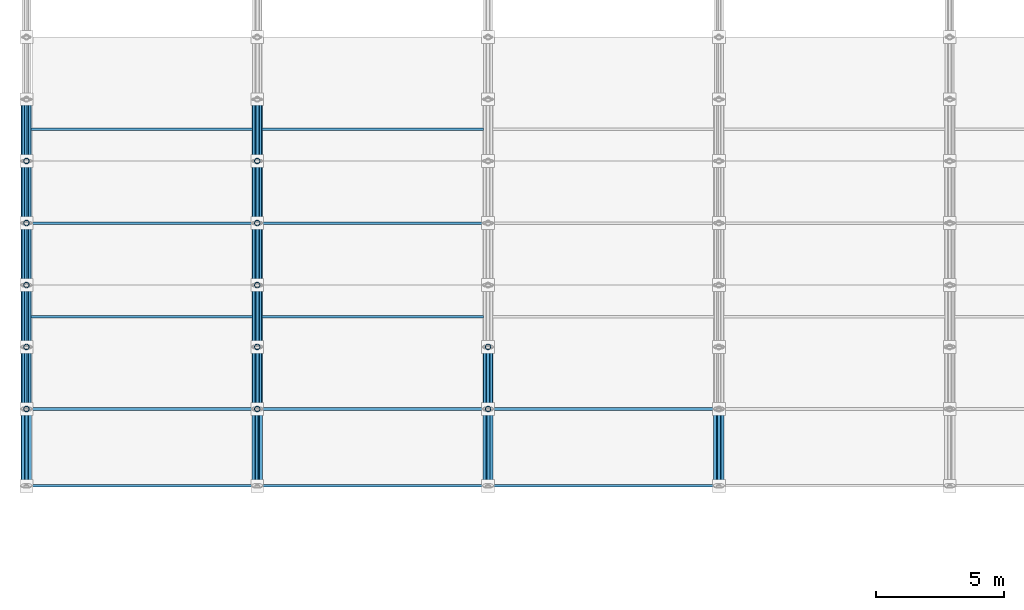
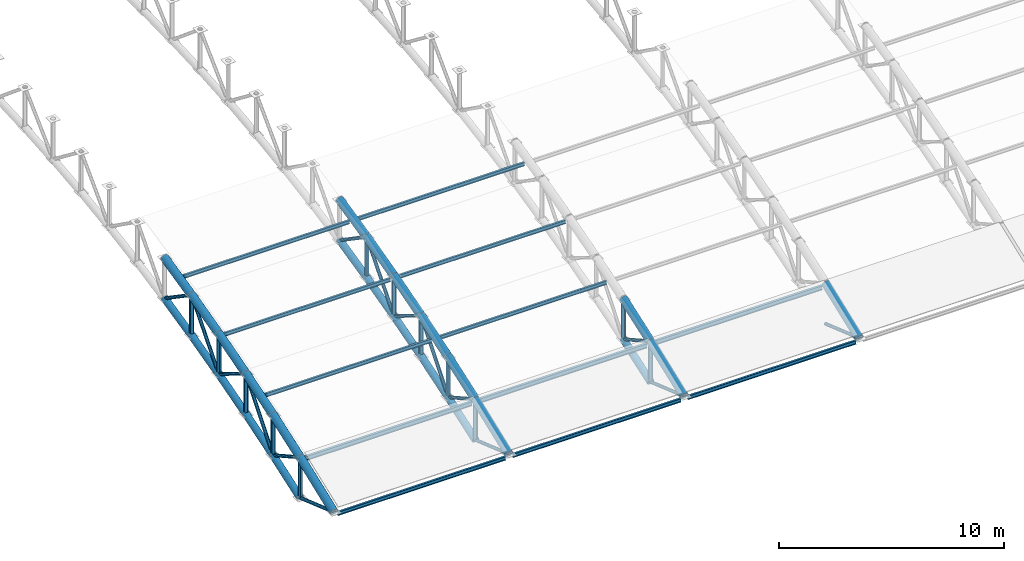
# One storey, part 15 of 195: 65 members.
"""IFC4 building model written with IfcOpenShell, lengths in metres."""

import ifcopenshell
import ifcopenshell.guid

model = None  # the IFC model being written
_history = None  # IfcOwnerHistory: only IFC2X3 demands one
_inside = {}  # id of a spatial element -> (the spatial element, [elements in it])
_under = {}  # id of a project, library or spatial element -> (it, [spatial elements below it])
_declared = {}  # id of a project -> (the project, [libraries it declares])
_typed = {}  # id of a type object -> (the type object, [elements of that type])
_made_of = {}  # id of a material, layer set ... -> (it, [elements and type objects made of it])


def new_model(schema):
    """Start an empty IFC model of exactly this schema.

    Asked for "IFC4X3", IfcOpenShell would pick the latest addendum, in which some entities
    have other attributes; the version numbers below select the first issue.
    IFC2X3 requires an IfcOwnerHistory on every rooted entity: one is made here for all.
    """
    global model, _history
    if schema == "IFC4X3":
        model = ifcopenshell.file(schema_version=(4, 3, 0, 0))
    else:
        model = ifcopenshell.file(schema=schema)
    _inside.clear()
    _under.clear()
    _declared.clear()
    _typed.clear()
    _made_of.clear()
    _history = None
    if model.schema == "IFC2X3":
        org = make("IfcOrganization", Name="unknown")
        user = make(
            "IfcPersonAndOrganization",
            ThePerson=make("IfcPerson", FamilyName="unknown"),
            TheOrganization=org,
        )
        app = make(
            "IfcApplication",
            ApplicationDeveloper=org,
            Version="unknown",
            ApplicationFullName="unknown",
            ApplicationIdentifier="unknown",
        )
        _history = make(
            "IfcOwnerHistory",
            OwningUser=user,
            OwningApplication=app,
            ChangeAction="ADDED",
            CreationDate=0,
        )
    return model


def make(cls, **values):
    """One entity of the class cls with the attributes given. An attribute that is None is left unset."""
    return model.create_entity(
        cls, **{name: value for name, value in values.items() if value is not None}
    )


def rooted(cls, **values):
    """An entity with a GlobalId (a new one), such as an element, a storey or a relation."""
    return make(cls, GlobalId=ifcopenshell.guid.new(), OwnerHistory=_history, **values)


def si_unit(unit_type, name, prefix=None):
    """IfcSIUnit, for example si_unit("LENGTHUNIT", "METRE", prefix="MILLI")."""
    return make("IfcSIUnit", UnitType=unit_type, Prefix=prefix, Name=name)


def assignment(units):
    """IfcUnitAssignment: the units of a project."""
    return None if units is None else make("IfcUnitAssignment", Units=units)


def point(xyz):
    """IfcCartesianPoint."""
    return None if xyz is None else make("IfcCartesianPoint", Coordinates=xyz)


def direction(xyz):
    """IfcDirection."""
    return None if xyz is None else make("IfcDirection", DirectionRatios=xyz)


def frame(location, z_axis=None, x_axis=None):
    """IfcAxis2Placement3D, a coordinate frame: its origin and axes. An axis left out is left unset."""
    return make(
        "IfcAxis2Placement3D",
        Location=point(location),
        Axis=direction(z_axis),
        RefDirection=direction(x_axis),
    )


def frame_2d(location, x_axis=None):
    """IfcAxis2Placement2D, a coordinate frame in the plane: its origin and x axis."""
    return make(
        "IfcAxis2Placement2D", Location=point(location), RefDirection=direction(x_axis)
    )


def origin():
    """The frame at (0, 0, 0) with its axes left unset."""
    return frame((0.0, 0.0, 0.0))


def origin_2d():
    """The frame at (0, 0) in the plane with its x axis left unset."""
    return frame_2d((0.0, 0.0))


def place(relative_to, where):
    """IfcLocalPlacement: puts the frame where relative to a parent placement (None: the world)."""
    return make(
        "IfcLocalPlacement", PlacementRelTo=relative_to, RelativePlacement=where
    )


def context(
    kind, dimensions, precision=None, world=None, true_north=None, identifier=None
):
    """IfcGeometricRepresentationContext, for example the 3D "Model" context."""
    return make(
        "IfcGeometricRepresentationContext",
        ContextIdentifier=identifier,
        ContextType=kind,
        CoordinateSpaceDimension=dimensions,
        Precision=precision,
        WorldCoordinateSystem=world,
        TrueNorth=true_north,
    )


def subcontext(parent, identifier, kind, view, scale=None):
    """IfcGeometricRepresentationSubContext, for example "Body" below "Model"."""
    return make(
        "IfcGeometricRepresentationSubContext",
        ContextIdentifier=identifier,
        ContextType=kind,
        ParentContext=parent,
        TargetScale=scale,
        TargetView=view,
    )


def project(units=None, contexts=None):
    """IfcProject with its units and contexts."""
    return rooted(
        "IfcProject",
        Name="project",
        RepresentationContexts=contexts,
        UnitsInContext=assignment(units),
    )


def spatial(cls, under=None, at=None, **own):
    """A site, building, storey or space (cls), placed at a placement, below another one or the project."""
    s = rooted(cls, ObjectPlacement=at, **own)
    if under is not None:
        _under.setdefault(under.id(), (under, []))[1].append(s)
    return s


def profile(cls, at=None, kind="AREA", **sizes):
    """A parametric profile (cls). Its sizes go by their IFC names, for example OverallWidth=200.0."""
    return make(cls, ProfileType=kind, Position=at, **sizes)


def hollow_circle(**sizes):
    """IfcCircleHollowProfileDef."""
    return profile("IfcCircleHollowProfileDef", **sizes)


def i_section(**sizes):
    """IfcIShapeProfileDef."""
    return profile("IfcIShapeProfileDef", **sizes)


def extrude(swept, where, along, depth):
    """IfcExtrudedAreaSolid: the profile swept, set in the frame where, extruded along a direction by depth."""
    return make(
        "IfcExtrudedAreaSolid",
        SweptArea=swept,
        Position=where,
        ExtrudedDirection=direction(along),
        Depth=depth,
    )


def shape(context_of_items, identifier, shape_type, items):
    """IfcShapeRepresentation: the items that make up one representation, for example the "Body"."""
    return make(
        "IfcShapeRepresentation",
        ContextOfItems=context_of_items,
        RepresentationIdentifier=identifier,
        RepresentationType=shape_type,
        Items=items,
    )


def material(Name=None, Category=None):
    """IfcMaterial."""
    return make("IfcMaterial", Name=Name, Category=Category)


def material_profile(
    of_material, cross_section, Name=None, Category=None, Priority=None
):
    """IfcMaterialProfile: a cross section and its material."""
    return make(
        "IfcMaterialProfile",
        Name=Name,
        Material=of_material,
        Profile=cross_section,
        Priority=Priority,
        Category=Category,
    )


def profile_set(profiles, Name=None, composite=None):
    """IfcMaterialProfileSet."""
    return make(
        "IfcMaterialProfileSet",
        Name=Name,
        MaterialProfiles=profiles,
        CompositeProfile=composite,
    )


def made_of(thing, what):
    """Note that an element or type object is made of a material, layer set ...; save() writes the relation."""
    if what is not None:
        _made_of.setdefault(what.id(), (what, []))[1].append(thing)
    return thing


def type_object(cls, material=None, **own):
    """A type object (cls), such as IfcWallType, which elements share."""
    return made_of(rooted(cls, **own), material)


def element(
    cls,
    number,
    at=None,
    inside=None,
    cuts=None,
    type_object=None,
    material=None,
    context=None,
    identifier="Body",
    shape_type=None,
    held_by="IfcProductDefinitionShape",
    body=None,
    shapes=None,
    **own,
):
    """One element of the class cls, such as IfcWall. Its Tag is "e" and its number.

    at: its placement. inside: the storey or other place that contains it. cuts: it is an
    opening in that element (IfcRelVoidsElement). A single representation is given by context,
    identifier, shape_type and body (its items); several are given by shapes. held_by: the class
    of the entity that holds the representations. save() writes the other relations.
    """
    e = rooted(cls, Tag="e%d" % number, ObjectPlacement=at, **own)
    if body is not None:
        shapes = [shape(context, identifier, shape_type, body)]
    if shapes is not None:
        e.Representation = make(held_by, Representations=shapes)
    if inside is not None:
        _inside.setdefault(inside.id(), (inside, []))[1].append(e)
    if cuts is not None:
        rooted(
            "IfcRelVoidsElement", RelatingBuildingElement=cuts, RelatedOpeningElement=e
        )
    if type_object is not None:
        _typed.setdefault(type_object.id(), (type_object, []))[1].append(e)
    return made_of(e, material)


def aggregate(whole, parts):
    """IfcRelAggregates: a whole, such as a stair, and the parts it consists of."""
    return rooted("IfcRelAggregates", RelatingObject=whole, RelatedObjects=parts)


def save(model, path):
    """Write the relations noted so far, then the file.

    IfcRelAggregates (storeys below a building ...), IfcRelContainedInSpatialStructure (elements
    in a storey), IfcRelDefinesByType, IfcRelAssociatesMaterial and IfcRelDeclares: one each for
    every whole, place, type object, material and project.
    """
    for whole, parts in _under.values():
        aggregate(whole, parts)
    for where, things in _inside.values():
        rooted(
            "IfcRelContainedInSpatialStructure",
            RelatedElements=things,
            RelatingStructure=where,
        )
    for kind, things in _typed.values():
        rooted("IfcRelDefinesByType", RelatedObjects=things, RelatingType=kind)
    for what, things in _made_of.values():
        rooted("IfcRelAssociatesMaterial", RelatedObjects=things, RelatingMaterial=what)
    for by, libraries in _declared.values():
        rooted("IfcRelDeclares", RelatingContext=by, RelatedDefinitions=libraries)
    model.write(path)


model = new_model("IFC4")

# Units and contexts
model_context = context("Model", 3, precision=1e-05, world=origin(), true_north=direction((0.0, 1.0)))
body_context = subcontext(model_context, "Body", "Model", "MODEL_VIEW")
ifc_project = project(units=[si_unit("LENGTHUNIT", "METRE"), si_unit("AREAUNIT", "SQUARE_METRE"), si_unit("VOLUMEUNIT", "CUBIC_METRE"), si_unit("PLANEANGLEUNIT", "RADIAN"), si_unit("MASSUNIT", "GRAM", prefix="KILO")], contexts=[model_context])

# Site, building, storey
site_placement = place(None, origin())
site = spatial("IfcSite", under=ifc_project, at=site_placement, CompositionType="ELEMENT")
building_placement = place(site_placement, origin())
building = spatial("IfcBuilding", under=site, at=building_placement, Name="Marlcrest Central Station", CompositionType="ELEMENT")
storey_placement = place(building_placement, frame((0.0, 0.0, 9.800048828125)))
storey = spatial("IfcBuildingStorey", under=building, at=storey_placement, Name="L02", CompositionType="ELEMENT", Elevation=9.800048828125)

# Members
ifc_material = material(Name="Steel S355", Category="steel")
ifc_material_profile_1 = material_profile(ifc_material, hollow_circle(Radius=0.203125, WallThickness=0.02001953125, at=origin_2d()), Name="CHS 406.4x20")
ifc_profile_set_1 = profile_set([ifc_material_profile_1], Name="Steel S355")
member_type_1 = type_object("IfcMemberType", Name="AC-01", PredefinedType="CHORD", material=ifc_profile_set_1)
member_1_placement = place(storey_placement, frame((0.0, 33.5, 0.44580078125), z_axis=(0.0, 0.933324071143, 0.359035065453), x_axis=(-1.0, 0.0, 0.0)))
element("IfcMember", 1, at=member_1_placement, inside=storey, type_object=member_type_1, Name="mem-AC-01-L02-00061", PredefinedType="CHORD", context=body_context, shape_type="SweptSolid", body=[
    extrude(hollow_circle(Radius=0.203125, WallThickness=0.02001953125, at=origin_2d()), origin(), (0.0, 0.0, 1.0), 3.21435546875),
])
member_2_placement = place(storey_placement, frame((0.0, 36.5, 1.599853515625), z_axis=(0.0, 0.94353735649, 0.331266142109), x_axis=(-1.0, 0.0, 0.0)))
element("IfcMember", 2, at=member_2_placement, inside=storey, type_object=member_type_1, Name="mem-AC-01-L02-00063", PredefinedType="CHORD", context=body_context, shape_type="SweptSolid", body=[
    extrude(hollow_circle(Radius=0.203125, WallThickness=0.02001953125, at=origin_2d()), origin(), (0.0, 0.0, 1.0), 2.564697265625),
])
member_3_placement = place(storey_placement, frame((0.0, 38.919921875, 2.449462890625), z_axis=(0.0, 0.952116828449, 0.305734435391), x_axis=(-1.0, 0.0, 0.0)))
element("IfcMember", 3, at=member_3_placement, inside=storey, type_object=member_type_1, Name="mem-AC-01-L02-00067", PredefinedType="CHORD", context=body_context, shape_type="SweptSolid", body=[
    extrude(hollow_circle(Radius=0.203125, WallThickness=0.02001953125, at=origin_2d()), origin(), (0.0, 0.0, 1.0), 2.53125),
])
member_4_placement = place(storey_placement, frame((0.0, 41.330078125, 3.223388671875), z_axis=(0.0, 0.960130083362, 0.27955361386), x_axis=(-1.0, 0.0, 0.0)))
element("IfcMember", 4, at=member_4_placement, inside=storey, type_object=member_type_1, Name="mem-AC-01-L02-00071", PredefinedType="CHORD", context=body_context, shape_type="SweptSolid", body=[
    extrude(hollow_circle(Radius=0.203125, WallThickness=0.02001953125, at=origin_2d()), origin(), (0.0, 0.0, 1.0), 2.5205078125),
])
member_5_placement = place(storey_placement, frame((0.0, 43.75, 3.927978515625), z_axis=(0.0, 0.967539481681, 0.252719906989), x_axis=(-1.0, 0.0, 0.0)))
element("IfcMember", 5, at=member_5_placement, inside=storey, type_object=member_type_1, Name="mem-AC-01-L02-00075", PredefinedType="CHORD", context=body_context, shape_type="SweptSolid", body=[
    extrude(hollow_circle(Radius=0.203125, WallThickness=0.02001953125, at=origin_2d()), origin(), (0.0, 0.0, 1.0), 2.501220703125),
])
member_6_placement = place(storey_placement, frame((0.0, 46.169921875, 4.56005859375), z_axis=(0.0, 0.974329612642, 0.225126200004), x_axis=(-1.0, 0.0, 0.0)))
element("IfcMember", 6, at=member_6_placement, inside=storey, type_object=member_type_1, Name="mem-AC-01-L02-00079", PredefinedType="CHORD", context=body_context, shape_type="SweptSolid", body=[
    extrude(hollow_circle(Radius=0.203125, WallThickness=0.02001953125, at=origin_2d()), origin(), (0.0, 0.0, 1.0), 2.4736328125),
])
member_7_placement = place(storey_placement, frame((9.0, 33.5, 0.44580078125), z_axis=(0.0, 0.933324071143, 0.359035065453), x_axis=(-1.0, 0.0, 0.0)))
element("IfcMember", 7, at=member_7_placement, inside=storey, type_object=member_type_1, Name="mem-AC-01-L02-00177", PredefinedType="CHORD", context=body_context, shape_type="SweptSolid", body=[
    extrude(hollow_circle(Radius=0.203125, WallThickness=0.02001953125, at=origin_2d()), origin(), (0.0, 0.0, 1.0), 3.21435546875),
])
member_8_placement = place(storey_placement, frame((9.0, 36.5, 1.599853515625), z_axis=(0.0, 0.94353735649, 0.331266142109), x_axis=(-1.0, 0.0, 0.0)))
element("IfcMember", 8, at=member_8_placement, inside=storey, type_object=member_type_1, Name="mem-AC-01-L02-00179", PredefinedType="CHORD", context=body_context, shape_type="SweptSolid", body=[
    extrude(hollow_circle(Radius=0.203125, WallThickness=0.02001953125, at=origin_2d()), origin(), (0.0, 0.0, 1.0), 2.564697265625),
])
member_9_placement = place(storey_placement, frame((9.0, 38.919921875, 2.449462890625), z_axis=(0.0, 0.952116828449, 0.305734435391), x_axis=(-1.0, 0.0, 0.0)))
element("IfcMember", 9, at=member_9_placement, inside=storey, type_object=member_type_1, Name="mem-AC-01-L02-00183", PredefinedType="CHORD", context=body_context, shape_type="SweptSolid", body=[
    extrude(hollow_circle(Radius=0.203125, WallThickness=0.02001953125, at=origin_2d()), origin(), (0.0, 0.0, 1.0), 2.53125),
])
member_10_placement = place(storey_placement, frame((9.0, 41.330078125, 3.223388671875), z_axis=(0.0, 0.960130083362, 0.27955361386), x_axis=(-1.0, 0.0, 0.0)))
element("IfcMember", 10, at=member_10_placement, inside=storey, type_object=member_type_1, Name="mem-AC-01-L02-00187", PredefinedType="CHORD", context=body_context, shape_type="SweptSolid", body=[
    extrude(hollow_circle(Radius=0.203125, WallThickness=0.02001953125, at=origin_2d()), origin(), (0.0, 0.0, 1.0), 2.5205078125),
])
member_11_placement = place(storey_placement, frame((9.0, 43.75, 3.927978515625), z_axis=(0.0, 0.967539481681, 0.252719906989), x_axis=(-1.0, 0.0, 0.0)))
element("IfcMember", 11, at=member_11_placement, inside=storey, type_object=member_type_1, Name="mem-AC-01-L02-00191", PredefinedType="CHORD", context=body_context, shape_type="SweptSolid", body=[
    extrude(hollow_circle(Radius=0.203125, WallThickness=0.02001953125, at=origin_2d()), origin(), (0.0, 0.0, 1.0), 2.501220703125),
])
member_12_placement = place(storey_placement, frame((9.0, 46.169921875, 4.56005859375), z_axis=(0.0, 0.974329612642, 0.225126200004), x_axis=(-1.0, 0.0, 0.0)))
element("IfcMember", 12, at=member_12_placement, inside=storey, type_object=member_type_1, Name="mem-AC-01-L02-00195", PredefinedType="CHORD", context=body_context, shape_type="SweptSolid", body=[
    extrude(hollow_circle(Radius=0.203125, WallThickness=0.02001953125, at=origin_2d()), origin(), (0.0, 0.0, 1.0), 2.4736328125),
])
member_13_placement = place(storey_placement, frame((18.0, 33.5, 0.44580078125), z_axis=(0.0, 0.933324071143, 0.359035065453), x_axis=(-1.0, 0.0, 0.0)))
element("IfcMember", 13, at=member_13_placement, inside=storey, type_object=member_type_1, Name="mem-AC-01-L02-00293", PredefinedType="CHORD", context=body_context, shape_type="SweptSolid", body=[
    extrude(hollow_circle(Radius=0.203125, WallThickness=0.02001953125, at=origin_2d()), origin(), (0.0, 0.0, 1.0), 3.21435546875),
])
member_14_placement = place(storey_placement, frame((18.0, 36.5, 1.599853515625), z_axis=(0.0, 0.94353735649, 0.331266142109), x_axis=(-1.0, 0.0, 0.0)))
element("IfcMember", 14, at=member_14_placement, inside=storey, type_object=member_type_1, Name="mem-AC-01-L02-00295", PredefinedType="CHORD", context=body_context, shape_type="SweptSolid", body=[
    extrude(hollow_circle(Radius=0.203125, WallThickness=0.02001953125, at=origin_2d()), origin(), (0.0, 0.0, 1.0), 2.564697265625),
])
member_15_placement = place(storey_placement, frame((27.0, 33.5, 0.44580078125), z_axis=(0.0, 0.933324071143, 0.359035065453), x_axis=(-1.0, 0.0, 0.0)))
element("IfcMember", 15, at=member_15_placement, inside=storey, type_object=member_type_1, Name="mem-AC-01-L02-00409", PredefinedType="CHORD", context=body_context, shape_type="SweptSolid", body=[
    extrude(hollow_circle(Radius=0.203125, WallThickness=0.02001953125, at=origin_2d()), origin(), (0.0, 0.0, 1.0), 3.21435546875),
])
ifc_material_profile_2 = material_profile(ifc_material, hollow_circle(Radius=0.177734375, WallThickness=0.01611328125, at=origin_2d()), Name="CHS 355.6x16")
ifc_profile_set_2 = profile_set([ifc_material_profile_2], Name="Steel S355")
member_type_2 = type_object("IfcMemberType", Name="AC-02", PredefinedType="CHORD", material=ifc_profile_set_2)
member_16_placement = place(storey_placement, frame((0.0, 36.5, -0.60009765625), z_axis=(0.0, 0.94353735649, 0.331266142109), x_axis=(-1.0, 0.0, 0.0)))
element("IfcMember", 16, at=member_16_placement, inside=storey, type_object=member_type_2, Name="mem-AC-02-L02-00064", PredefinedType="CHORD", context=body_context, shape_type="SweptSolid", body=[
    extrude(hollow_circle(Radius=0.177734375, WallThickness=0.01611328125, at=origin_2d()), origin(), (0.0, 0.0, 1.0), 2.564697265625),
])
member_17_placement = place(storey_placement, frame((0.0, 38.919921875, 0.24951171875), z_axis=(0.0, 0.952116828449, 0.305734435391), x_axis=(-1.0, 0.0, 0.0)))
element("IfcMember", 17, at=member_17_placement, inside=storey, type_object=member_type_2, Name="mem-AC-02-L02-00068", PredefinedType="CHORD", context=body_context, shape_type="SweptSolid", body=[
    extrude(hollow_circle(Radius=0.177734375, WallThickness=0.01611328125, at=origin_2d()), origin(), (0.0, 0.0, 1.0), 2.53125),
])
member_18_placement = place(storey_placement, frame((0.0, 41.330078125, 1.0234375), z_axis=(0.0, 0.960130083362, 0.27955361386), x_axis=(-1.0, 0.0, 0.0)))
element("IfcMember", 18, at=member_18_placement, inside=storey, type_object=member_type_2, Name="mem-AC-02-L02-00072", PredefinedType="CHORD", context=body_context, shape_type="SweptSolid", body=[
    extrude(hollow_circle(Radius=0.177734375, WallThickness=0.01611328125, at=origin_2d()), origin(), (0.0, 0.0, 1.0), 2.5205078125),
])
member_19_placement = place(storey_placement, frame((0.0, 43.75, 1.72802734375), z_axis=(0.0, 0.967563345928, 0.252628524946), x_axis=(-1.0, 0.0, 0.0)))
element("IfcMember", 19, at=member_19_placement, inside=storey, type_object=member_type_2, Name="mem-AC-02-L02-00076", PredefinedType="CHORD", context=body_context, shape_type="SweptSolid", body=[
    extrude(hollow_circle(Radius=0.177734375, WallThickness=0.01611328125, at=origin_2d()), origin(), (0.0, 0.0, 1.0), 2.5009765625),
])
member_20_placement = place(storey_placement, frame((0.0, 46.169921875, 2.35986328125), z_axis=(0.0, 0.974307959875, 0.225219891049), x_axis=(-1.0, 0.0, 0.0)))
element("IfcMember", 20, at=member_20_placement, inside=storey, type_object=member_type_2, Name="mem-AC-02-L02-00080", PredefinedType="CHORD", context=body_context, shape_type="SweptSolid", body=[
    extrude(hollow_circle(Radius=0.177734375, WallThickness=0.01611328125, at=origin_2d()), origin(), (0.0, 0.0, 1.0), 2.4736328125),
])
member_21_placement = place(storey_placement, frame((9.0, 36.5, -0.60009765625), z_axis=(0.0, 0.94353735649, 0.331266142109), x_axis=(-1.0, 0.0, 0.0)))
element("IfcMember", 21, at=member_21_placement, inside=storey, type_object=member_type_2, Name="mem-AC-02-L02-00180", PredefinedType="CHORD", context=body_context, shape_type="SweptSolid", body=[
    extrude(hollow_circle(Radius=0.177734375, WallThickness=0.01611328125, at=origin_2d()), origin(), (0.0, 0.0, 1.0), 2.564697265625),
])
member_22_placement = place(storey_placement, frame((9.0, 38.919921875, 0.24951171875), z_axis=(0.0, 0.952116828449, 0.305734435391), x_axis=(-1.0, 0.0, 0.0)))
element("IfcMember", 22, at=member_22_placement, inside=storey, type_object=member_type_2, Name="mem-AC-02-L02-00184", PredefinedType="CHORD", context=body_context, shape_type="SweptSolid", body=[
    extrude(hollow_circle(Radius=0.177734375, WallThickness=0.01611328125, at=origin_2d()), origin(), (0.0, 0.0, 1.0), 2.53125),
])
member_23_placement = place(storey_placement, frame((9.0, 41.330078125, 1.0234375), z_axis=(0.0, 0.960130083362, 0.27955361386), x_axis=(-1.0, 0.0, 0.0)))
element("IfcMember", 23, at=member_23_placement, inside=storey, type_object=member_type_2, Name="mem-AC-02-L02-00188", PredefinedType="CHORD", context=body_context, shape_type="SweptSolid", body=[
    extrude(hollow_circle(Radius=0.177734375, WallThickness=0.01611328125, at=origin_2d()), origin(), (0.0, 0.0, 1.0), 2.5205078125),
])
member_24_placement = place(storey_placement, frame((9.0, 43.75, 1.72802734375), z_axis=(0.0, 0.967563345928, 0.252628524946), x_axis=(-1.0, 0.0, 0.0)))
element("IfcMember", 24, at=member_24_placement, inside=storey, type_object=member_type_2, Name="mem-AC-02-L02-00192", PredefinedType="CHORD", context=body_context, shape_type="SweptSolid", body=[
    extrude(hollow_circle(Radius=0.177734375, WallThickness=0.01611328125, at=origin_2d()), origin(), (0.0, 0.0, 1.0), 2.5009765625),
])
member_25_placement = place(storey_placement, frame((9.0, 46.169921875, 2.35986328125), z_axis=(0.0, 0.974307959875, 0.225219891049), x_axis=(-1.0, 0.0, 0.0)))
element("IfcMember", 25, at=member_25_placement, inside=storey, type_object=member_type_2, Name="mem-AC-02-L02-00196", PredefinedType="CHORD", context=body_context, shape_type="SweptSolid", body=[
    extrude(hollow_circle(Radius=0.177734375, WallThickness=0.01611328125, at=origin_2d()), origin(), (0.0, 0.0, 1.0), 2.4736328125),
])
member_26_placement = place(storey_placement, frame((18.0, 36.5, -0.60009765625), z_axis=(0.0, 0.94353735649, 0.331266142109), x_axis=(-1.0, 0.0, 0.0)))
element("IfcMember", 26, at=member_26_placement, inside=storey, type_object=member_type_2, Name="mem-AC-02-L02-00296", PredefinedType="CHORD", context=body_context, shape_type="SweptSolid", body=[
    extrude(hollow_circle(Radius=0.177734375, WallThickness=0.01611328125, at=origin_2d()), origin(), (0.0, 0.0, 1.0), 2.564697265625),
])
ifc_material_profile_3 = material_profile(ifc_material, hollow_circle(Radius=0.084228515625, WallThickness=0.010009765625, at=origin_2d()), Name="CHS 168.3x10")
ifc_profile_set_3 = profile_set([ifc_material_profile_3], Name="Steel S355")
member_type_3 = type_object("IfcMemberType", Name="AD-01", PredefinedType="BRACE", material=ifc_profile_set_3)
member_27_placement = place(storey_placement, frame((0.0, 36.5, -0.60009765625), z_axis=(0.0, -0.944260188635, 0.329200085296), x_axis=(1.0, 0.0, 0.0)))
element("IfcMember", 27, at=member_27_placement, inside=storey, type_object=member_type_3, Name="mem-AD-01-L02-00062", PredefinedType="BRACE", context=body_context, shape_type="SweptSolid", body=[
    extrude(hollow_circle(Radius=0.084228515625, WallThickness=0.010009765625, at=origin_2d()), origin(), (0.0, 0.0, 1.0), 3.177001953125),
])
member_28_placement = place(storey_placement, frame((0.0, 36.5, 1.599853515625), z_axis=(0.0, 0.873245653167, -0.487280236851), x_axis=(-1.0, 0.0, 0.0)))
element("IfcMember", 28, at=member_28_placement, inside=storey, type_object=member_type_3, Name="mem-AD-01-L02-00066", PredefinedType="BRACE", context=body_context, shape_type="SweptSolid", body=[
    extrude(hollow_circle(Radius=0.084228515625, WallThickness=0.010009765625, at=origin_2d()), origin(), (0.0, 0.0, 1.0), 2.771240234375),
])
member_29_placement = place(storey_placement, frame((0.0, 38.919921875, 0.24951171875), z_axis=(0.0, 0.62962929743, 0.776895712318), x_axis=(-1.0, 0.0, 0.0)))
element("IfcMember", 29, at=member_29_placement, inside=storey, type_object=member_type_3, Name="mem-AD-01-L02-00070", PredefinedType="BRACE", context=body_context, shape_type="SweptSolid", body=[
    extrude(hollow_circle(Radius=0.084228515625, WallThickness=0.010009765625, at=origin_2d()), origin(), (0.0, 0.0, 1.0), 3.827880859375),
])
member_30_placement = place(storey_placement, frame((0.0, 41.330078125, 3.223388671875), z_axis=(0.0, 0.850687380038, -0.525671933286), x_axis=(-1.0, 0.0, 0.0)))
element("IfcMember", 30, at=member_30_placement, inside=storey, type_object=member_type_3, Name="mem-AD-01-L02-00074", PredefinedType="BRACE", context=body_context, shape_type="SweptSolid", body=[
    extrude(hollow_circle(Radius=0.084228515625, WallThickness=0.010009765625, at=origin_2d()), origin(), (0.0, 0.0, 1.0), 2.8447265625),
])
member_31_placement = place(storey_placement, frame((0.0, 43.75, 1.72802734375), z_axis=(0.0, 0.649624779144, 0.760254987699), x_axis=(-1.0, 0.0, 0.0)))
element("IfcMember", 31, at=member_31_placement, inside=storey, type_object=member_type_3, Name="mem-AD-01-L02-00078", PredefinedType="BRACE", context=body_context, shape_type="SweptSolid", body=[
    extrude(hollow_circle(Radius=0.084228515625, WallThickness=0.010009765625, at=origin_2d()), origin(), (0.0, 0.0, 1.0), 3.72509765625),
])
member_32_placement = place(storey_placement, frame((0.0, 46.169921875, 4.56005859375), z_axis=(0.0, 0.82626275624, -0.563284881432), x_axis=(-1.0, 0.0, 0.0)))
element("IfcMember", 32, at=member_32_placement, inside=storey, type_object=member_type_3, Name="mem-AD-01-L02-00082", PredefinedType="BRACE", context=body_context, shape_type="SweptSolid", body=[
    extrude(hollow_circle(Radius=0.084228515625, WallThickness=0.010009765625, at=origin_2d()), origin(), (0.0, 0.0, 1.0), 2.9169921875),
])
member_33_placement = place(storey_placement, frame((9.0, 36.5, -0.60009765625), z_axis=(0.0, -0.944260188635, 0.329200085296), x_axis=(1.0, 0.0, 0.0)))
element("IfcMember", 33, at=member_33_placement, inside=storey, type_object=member_type_3, Name="mem-AD-01-L02-00178", PredefinedType="BRACE", context=body_context, shape_type="SweptSolid", body=[
    extrude(hollow_circle(Radius=0.084228515625, WallThickness=0.010009765625, at=origin_2d()), origin(), (0.0, 0.0, 1.0), 3.177001953125),
])
member_34_placement = place(storey_placement, frame((9.0, 36.5, 1.599853515625), z_axis=(0.0, 0.873245653167, -0.487280236851), x_axis=(-1.0, 0.0, 0.0)))
element("IfcMember", 34, at=member_34_placement, inside=storey, type_object=member_type_3, Name="mem-AD-01-L02-00182", PredefinedType="BRACE", context=body_context, shape_type="SweptSolid", body=[
    extrude(hollow_circle(Radius=0.084228515625, WallThickness=0.010009765625, at=origin_2d()), origin(), (0.0, 0.0, 1.0), 2.771240234375),
])
member_35_placement = place(storey_placement, frame((9.0, 38.919921875, 0.24951171875), z_axis=(0.0, 0.62962929743, 0.776895712318), x_axis=(-1.0, 0.0, 0.0)))
element("IfcMember", 35, at=member_35_placement, inside=storey, type_object=member_type_3, Name="mem-AD-01-L02-00186", PredefinedType="BRACE", context=body_context, shape_type="SweptSolid", body=[
    extrude(hollow_circle(Radius=0.084228515625, WallThickness=0.010009765625, at=origin_2d()), origin(), (0.0, 0.0, 1.0), 3.827880859375),
])
member_36_placement = place(storey_placement, frame((9.0, 41.330078125, 3.223388671875), z_axis=(0.0, 0.850687380038, -0.525671933286), x_axis=(-1.0, 0.0, 0.0)))
element("IfcMember", 36, at=member_36_placement, inside=storey, type_object=member_type_3, Name="mem-AD-01-L02-00190", PredefinedType="BRACE", context=body_context, shape_type="SweptSolid", body=[
    extrude(hollow_circle(Radius=0.084228515625, WallThickness=0.010009765625, at=origin_2d()), origin(), (0.0, 0.0, 1.0), 2.8447265625),
])
member_37_placement = place(storey_placement, frame((9.0, 43.75, 1.72802734375), z_axis=(0.0, 0.649624779144, 0.760254987699), x_axis=(-1.0, 0.0, 0.0)))
element("IfcMember", 37, at=member_37_placement, inside=storey, type_object=member_type_3, Name="mem-AD-01-L02-00194", PredefinedType="BRACE", context=body_context, shape_type="SweptSolid", body=[
    extrude(hollow_circle(Radius=0.084228515625, WallThickness=0.010009765625, at=origin_2d()), origin(), (0.0, 0.0, 1.0), 3.72509765625),
])
member_38_placement = place(storey_placement, frame((9.0, 46.169921875, 4.56005859375), z_axis=(0.0, 0.82626275624, -0.563284881432), x_axis=(-1.0, 0.0, 0.0)))
element("IfcMember", 38, at=member_38_placement, inside=storey, type_object=member_type_3, Name="mem-AD-01-L02-00198", PredefinedType="BRACE", context=body_context, shape_type="SweptSolid", body=[
    extrude(hollow_circle(Radius=0.084228515625, WallThickness=0.010009765625, at=origin_2d()), origin(), (0.0, 0.0, 1.0), 2.9169921875),
])
member_39_placement = place(storey_placement, frame((18.0, 36.5, -0.60009765625), z_axis=(0.0, -0.944260188635, 0.329200085296), x_axis=(1.0, 0.0, 0.0)))
element("IfcMember", 39, at=member_39_placement, inside=storey, type_object=member_type_3, Name="mem-AD-01-L02-00294", PredefinedType="BRACE", context=body_context, shape_type="SweptSolid", body=[
    extrude(hollow_circle(Radius=0.084228515625, WallThickness=0.010009765625, at=origin_2d()), origin(), (0.0, 0.0, 1.0), 3.177001953125),
])
member_40_placement = place(storey_placement, frame((18.0, 36.5, 1.599853515625), z_axis=(0.0, 0.873245653167, -0.487280236851), x_axis=(-1.0, 0.0, 0.0)))
element("IfcMember", 40, at=member_40_placement, inside=storey, type_object=member_type_3, Name="mem-AD-01-L02-00298", PredefinedType="BRACE", context=body_context, shape_type="SweptSolid", body=[
    extrude(hollow_circle(Radius=0.084228515625, WallThickness=0.010009765625, at=origin_2d()), origin(), (0.0, 0.0, 1.0), 2.771240234375),
])
member_41_placement = place(storey_placement, frame((27.0, 36.5, -0.60009765625), z_axis=(0.0, -0.944260188635, 0.329200085296), x_axis=(1.0, 0.0, 0.0)))
element("IfcMember", 41, at=member_41_placement, inside=storey, type_object=member_type_3, Name="mem-AD-01-L02-00410", PredefinedType="BRACE", context=body_context, shape_type="SweptSolid", body=[
    extrude(hollow_circle(Radius=0.084228515625, WallThickness=0.010009765625, at=origin_2d()), origin(), (0.0, 0.0, 1.0), 3.177001953125),
])
ifc_material_profile_4 = material_profile(ifc_material, hollow_circle(Radius=0.109619140625, WallThickness=0.012451171875, at=origin_2d()), Name="CHS 219.1x12.5")
ifc_profile_set_4 = profile_set([ifc_material_profile_4], Name="Steel S355")
member_type_4 = type_object("IfcMemberType", Name="AP-01", PredefinedType="POST", material=ifc_profile_set_4)
for number, where, z_axis, x_axis, name in (
    (42, (0.0, 36.5, -0.60009765625), (0.0, 0.0, 1.0), (1.0, 0.0, 0.0), "mem-AP-01-L02-00065"),
    (43, (0.0, 38.919921875, 0.24951171875), (0.0, 0.0, 1.0), (1.0, 0.0, 0.0), "mem-AP-01-L02-00069"),
    (44, (0.0, 41.330078125, 1.0234375), (0.0, 0.0, 1.0), (1.0, 0.0, 0.0), "mem-AP-01-L02-00073"),
    (45, (0.0, 43.75, 1.72802734375), (0.0, 0.0, 1.0), (1.0, 0.0, 0.0), "mem-AP-01-L02-00077"),
):
    element("IfcMember", number, at=place(storey_placement, frame(where, z_axis=z_axis, x_axis=x_axis)), inside=storey, type_object=member_type_4, Name=name, PredefinedType="POST", context=body_context, shape_type="SweptSolid", body=[
        extrude(hollow_circle(Radius=0.109619140625, WallThickness=0.012451171875, at=origin_2d()), origin(), (0.0, 0.0, 1.0), 2.199951171875),
    ])
member_42_placement = place(storey_placement, frame((0.0, 46.169921875, 2.35986328125), z_axis=(0.0, 0.0, 1.0), x_axis=(1.0, 0.0, 0.0)))
element("IfcMember", 46, at=member_42_placement, inside=storey, type_object=member_type_4, Name="mem-AP-01-L02-00081", PredefinedType="POST", context=body_context, shape_type="SweptSolid", body=[
    extrude(hollow_circle(Radius=0.109619140625, WallThickness=0.012451171875, at=origin_2d()), origin(), (0.0, 0.0, 1.0), 2.2001953125),
])
for number, where, z_axis, x_axis, name in (
    (47, (9.0, 36.5, -0.60009765625), (0.0, 0.0, 1.0), (1.0, 0.0, 0.0), "mem-AP-01-L02-00181"),
    (48, (9.0, 38.919921875, 0.24951171875), (0.0, 0.0, 1.0), (1.0, 0.0, 0.0), "mem-AP-01-L02-00185"),
    (49, (9.0, 41.330078125, 1.0234375), (0.0, 0.0, 1.0), (1.0, 0.0, 0.0), "mem-AP-01-L02-00189"),
    (50, (9.0, 43.75, 1.72802734375), (0.0, 0.0, 1.0), (1.0, 0.0, 0.0), "mem-AP-01-L02-00193"),
):
    element("IfcMember", number, at=place(storey_placement, frame(where, z_axis=z_axis, x_axis=x_axis)), inside=storey, type_object=member_type_4, Name=name, PredefinedType="POST", context=body_context, shape_type="SweptSolid", body=[
        extrude(hollow_circle(Radius=0.109619140625, WallThickness=0.012451171875, at=origin_2d()), origin(), (0.0, 0.0, 1.0), 2.199951171875),
    ])
member_43_placement = place(storey_placement, frame((9.0, 46.169921875, 2.35986328125), z_axis=(0.0, 0.0, 1.0), x_axis=(1.0, 0.0, 0.0)))
element("IfcMember", 51, at=member_43_placement, inside=storey, type_object=member_type_4, Name="mem-AP-01-L02-00197", PredefinedType="POST", context=body_context, shape_type="SweptSolid", body=[
    extrude(hollow_circle(Radius=0.109619140625, WallThickness=0.012451171875, at=origin_2d()), origin(), (0.0, 0.0, 1.0), 2.2001953125),
])
for number, where, z_axis, x_axis, name in (
    (52, (18.0, 36.5, -0.60009765625), (0.0, 0.0, 1.0), (1.0, 0.0, 0.0), "mem-AP-01-L02-00297"),
    (53, (18.0, 38.919921875, 0.24951171875), (0.0, 0.0, 1.0), (1.0, 0.0, 0.0), "mem-AP-01-L02-00301"),
):
    element("IfcMember", number, at=place(storey_placement, frame(where, z_axis=z_axis, x_axis=x_axis)), inside=storey, type_object=member_type_4, Name=name, PredefinedType="POST", context=body_context, shape_type="SweptSolid", body=[
        extrude(hollow_circle(Radius=0.109619140625, WallThickness=0.012451171875, at=origin_2d()), origin(), (0.0, 0.0, 1.0), 2.199951171875),
    ])
ifc_material_profile_5 = material_profile(ifc_material, i_section(OverallWidth=0.10009765625, OverallDepth=0.199951171875, WebThickness=0.005615234375, FlangeThickness=0.008544921875, FilletRadius=0.011962890625, at=origin_2d()), Name="IPE 200")
ifc_profile_set_5 = profile_set([ifc_material_profile_5], Name="Steel S355")
member_type_5 = type_object("IfcMemberType", Name="PR-01", PredefinedType="PURLIN", material=ifc_profile_set_5)
for number, where, z_axis, x_axis, name in (
    (54, (0.179931640625, 33.5, 0.3056640625), (1.0, 0.0, 0.0), (0.0, 1.0, 0.0), "mem-PR-01-L02-00162"),
    (55, (0.179931640625, 40.10009765625, 2.697509765625), (1.0, 0.0, 0.0), (0.0, 1.0, 0.0), "mem-PR-01-L02-00164"),
    (56, (0.179931640625, 43.75, 3.7880859375), (1.0, 0.0, 0.0), (0.0, 1.0, 0.0), "mem-PR-01-L02-00165"),
    (57, (0.179931640625, 47.39990234375, 4.713134765625), (1.0, 0.0, 0.0), (0.0, 1.0, 0.0), "mem-PR-01-L02-00166"),
    (58, (9.179931640625, 33.5, 0.3056640625), (1.0, 0.0, 0.0), (0.0, 1.0, 0.0), "mem-PR-01-L02-00278"),
    (59, (9.179931640625, 40.10009765625, 2.697509765625), (1.0, 0.0, 0.0), (0.0, 1.0, 0.0), "mem-PR-01-L02-00280"),
    (60, (9.179931640625, 43.75, 3.7880859375), (1.0, 0.0, 0.0), (0.0, 1.0, 0.0), "mem-PR-01-L02-00281"),
    (61, (9.179931640625, 47.39990234375, 4.713134765625), (1.0, 0.0, 0.0), (0.0, 1.0, 0.0), "mem-PR-01-L02-00282"),
    (62, (18.179931640625, 33.5, 0.3056640625), (1.0, 0.0, 0.0), (0.0, 1.0, 0.0), "mem-PR-01-L02-00394"),
):
    element("IfcMember", number, at=place(storey_placement, frame(where, z_axis=z_axis, x_axis=x_axis)), inside=storey, type_object=member_type_5, Name=name, PredefinedType="PURLIN", context=body_context, shape_type="SweptSolid", body=[
        extrude(i_section(OverallWidth=0.10009765625, OverallDepth=0.199951171875, WebThickness=0.005615234375, FlangeThickness=0.008544921875, FilletRadius=0.011962890625, at=origin_2d()), origin(), (0.0, 0.0, 1.0), 8.64013671875),
    ])
ifc_material_profile_6 = material_profile(ifc_material, i_section(OverallWidth=0.1201171875, OverallDepth=0.239990234375, WebThickness=0.006103515625, FlangeThickness=0.009765625, FilletRadius=0.014892578125, at=origin_2d()), Name="IPE 240")
ifc_profile_set_6 = profile_set([ifc_material_profile_6], Name="Steel S355")
member_type_6 = type_object("IfcMemberType", Name="PR-02", PredefinedType="PURLIN", material=ifc_profile_set_6)
for number, where, z_axis, x_axis, name in (
    (63, (0.179931640625, 36.5, 1.4599609375), (1.0, 0.0, 0.0), (0.0, 1.0, 0.0), "mem-PR-02-L02-00163"),
    (64, (9.179931640625, 36.5, 1.4599609375), (1.0, 0.0, 0.0), (0.0, 1.0, 0.0), "mem-PR-02-L02-00279"),
    (65, (18.179931640625, 36.5, 1.4599609375), (1.0, 0.0, 0.0), (0.0, 1.0, 0.0), "mem-PR-02-L02-00395"),
):
    element("IfcMember", number, at=place(storey_placement, frame(where, z_axis=z_axis, x_axis=x_axis)), inside=storey, type_object=member_type_6, Name=name, PredefinedType="PURLIN", context=body_context, shape_type="SweptSolid", body=[
        extrude(i_section(OverallWidth=0.1201171875, OverallDepth=0.239990234375, WebThickness=0.006103515625, FlangeThickness=0.009765625, FilletRadius=0.014892578125, at=origin_2d()), origin(), (0.0, 0.0, 1.0), 8.64013671875),
    ])

save(model, "model.ifc")
